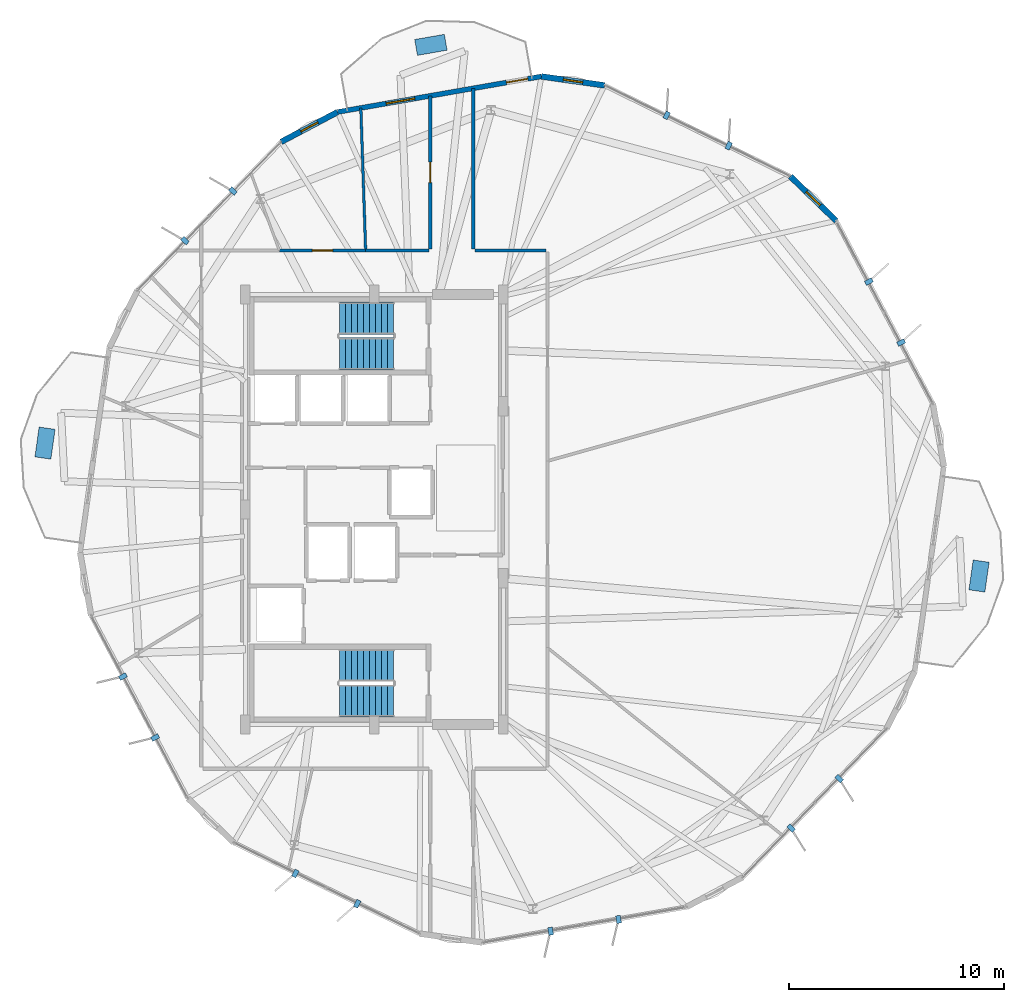
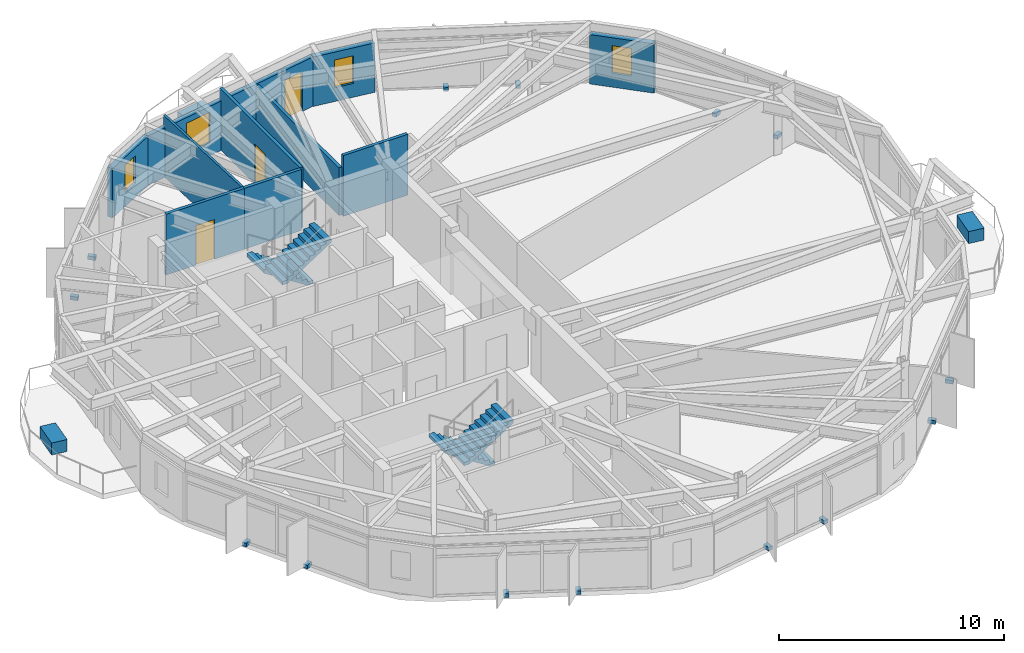
# One storey, part 25 of 28: 17 discrete accessories, 10 walls, 4 stair flights, 4 windows, 3 doors, 7 openings, 2 elements without a shape of their own.
"""IFC4 building model written with IfcOpenShell, lengths in metres."""

from ifc_helpers import new_model, si_unit, direction, frame, frame_2d, origin, origin_2d, place, context, subcontext, project, spatial, polyline, rectangle, outline, extrude, material, layer, layer_set, type_object, element, fill, aggregate, save


model = new_model("IFC4")

# Units and contexts
model_context = context("Model", 3, precision=1e-05, world=origin(), true_north=direction((0.0, 1.0)))
body_context = subcontext(model_context, "Body", "Model", "MODEL_VIEW")
ifc_project = project(units=[si_unit("LENGTHUNIT", "METRE"), si_unit("AREAUNIT", "SQUARE_METRE"), si_unit("VOLUMEUNIT", "CUBIC_METRE"), si_unit("PLANEANGLEUNIT", "RADIAN"), si_unit("MASSUNIT", "GRAM", prefix="KILO")], contexts=[model_context])

# Site, building, storey
site_placement = place(None, origin())
site = spatial("IfcSite", under=ifc_project, at=site_placement, CompositionType="ELEMENT")
building_placement = place(site_placement, origin())
building = spatial("IfcBuilding", under=site, at=building_placement, Name="Soratama Intermodal Tower", CompositionType="ELEMENT")
storey_placement = place(building_placement, frame((0.0, 0.0, 201.39990234375)))
storey = spatial("IfcBuildingStorey", under=building, at=storey_placement, Name="L50", CompositionType="ELEMENT", Elevation=201.39990234375)

# Wall, openings, door, window
ifc_material_1 = material(Name="Concrete f'c 42 MPa", Category="concrete")
ifc_layer_1 = layer(ifc_material_1, 0.22998046875)
ifc_layer_set_1 = layer_set([ifc_layer_1], Name="Concrete f'c 42 MPa")
wall_type_1 = type_object("IfcWallType", Name="EW-BAL-230", PredefinedType="SOLIDWALL", material=ifc_layer_set_1)
wall_1_placement = place(storey_placement, frame((46.368896484375, 45.145263671875, 0.0), z_axis=(0.0, 0.0, 1.0), x_axis=(-0.985106934839, -0.171942801338, 0.0)))
wall_1 = element("IfcWall", 1, at=wall_1_placement, inside=storey, type_object=wall_type_1, Name="L50 Terrace Wall F02", PredefinedType="SOLIDWALL", context=body_context, shape_type="SweptSolid", body=[
    extrude(rectangle(XDim=9.6240234375, YDim=0.22998046875, at=frame_2d((4.81201171875, 0.0))), origin(), (0.0, 0.0, 1.0), 2.67919921875),
])
opening_1_placement = place(wall_1_placement, frame((0.64990234375, 0.0, 0.0)))
opening_1 = element("IfcOpeningElement", 2, at=opening_1_placement, cuts=wall_1, Name="Opening ED-2", PredefinedType="OPENING", context=body_context, shape_type="SweptSolid", body=[
    extrude(rectangle(XDim=1.0, YDim=2.14990234375, at=frame_2d((0.5, 1.074951171875))), frame((0.0, 0.125, 0.0), z_axis=(0.0, -1.0, 0.0), x_axis=(1.0, 0.0, 0.0)), (0.0, 0.0, 1.0), 0.25),
])
opening_2_placement = place(wall_1_placement, frame((5.986083984375, 0.0, 0.719970703125)))
opening_2 = element("IfcOpeningElement", 3, at=opening_2_placement, cuts=wall_1, Name="Opening WN-4", PredefinedType="OPENING", context=body_context, shape_type="SweptSolid", body=[
    extrude(rectangle(XDim=1.35009765625, YDim=1.64990234375, at=frame_2d((0.675048828125, 0.824951171875))), frame((0.0, 0.125, 0.0), z_axis=(0.0, -1.0, 0.0), x_axis=(1.0, 0.0, 0.0)), (0.0, 0.0, 1.0), 0.25),
])
ifc_material_2 = material(Name="Double-glazed aluminium door", Category="aluminium")
door_type_1 = type_object("IfcDoorType", Name="DR-BAL-1000", OperationType="NOTDEFINED", PredefinedType="DOOR", material=ifc_material_2)
door_1_placement = place(opening_1_placement, origin())
door_1 = element("IfcDoor", 4, at=door_1_placement, inside=storey, type_object=door_type_1, Name="L50 Balcony Door F02", OperationType="SINGLE_SWING_RIGHT", OverallHeight=2.14990234375, OverallWidth=1.0, PredefinedType="DOOR", context=body_context, shape_type="SweptSolid", body=[
    extrude(rectangle(XDim=1.0, YDim=2.14990234375, at=frame_2d((0.5, 1.074951171875))), frame((0.0, 0.02490234375, 0.0), z_axis=(0.0, -1.0, 0.0), x_axis=(1.0, 0.0, 0.0)), (0.0, 0.0, 1.0), 0.050048828125),
])
fill(opening_1, door_1)
ifc_material_3 = material(Name="Double-glazed aluminium window", Category="aluminium")
window_type_1 = type_object("IfcWindowType", Name="WN-FAC-1350", PartitioningType="SINGLE_PANEL", PredefinedType="WINDOW", material=ifc_material_3)
window_1_placement = place(opening_2_placement, origin())
window_1 = element("IfcWindow", 5, at=window_1_placement, inside=storey, type_object=window_type_1, Name="L50 Window B F02", OverallHeight=1.64990234375, OverallWidth=1.35009765625, PartitioningType="SINGLE_PANEL", PredefinedType="WINDOW", context=body_context, shape_type="SweptSolid", body=[
    extrude(rectangle(XDim=1.35009765625, YDim=1.64990234375, at=frame_2d((0.675048828125, 0.824951171875))), frame((0.0, 0.030029296875, 0.0), z_axis=(0.0, -1.0, 0.0), x_axis=(1.0, 0.0, 0.0)), (0.0, 0.0, 1.0), 0.06005859375),
])
fill(opening_2, window_1)

# Wall, opening, window
ifc_material_4 = material(Name="Concrete f'c 42 MPa", Category="concrete")
ifc_layer_2 = layer(ifc_material_4, 0.27001953125)
ifc_layer_set_2 = layer_set([ifc_layer_2], Name="Concrete f'c 42 MPa")
wall_type_2 = type_object("IfcWallType", Name="EW-CRN-270", PredefinedType="SOLIDWALL", material=ifc_layer_set_2)
wall_2_placement = place(storey_placement, frame((49.305908203125, 44.727294921875, 0.0), z_axis=(0.0, 0.0, 1.0), x_axis=(-0.990025064431, 0.14089134749, 0.0)))
wall_2 = element("IfcWall", 6, at=wall_2_placement, inside=storey, type_object=wall_type_2, Name="L50 Corner Closure Wall 01", PredefinedType="SOLIDWALL", context=body_context, shape_type="SweptSolid", body=[
    extrude(rectangle(XDim=2.966552734375, YDim=0.27001953125, at=frame_2d((1.4833984375, 0.0))), origin(), (0.0, 0.0, 1.0), 2.67919921875),
])
opening_3_placement = place(wall_2_placement, frame((1.033203125, 0.0, 0.75)))
opening_3 = element("IfcOpeningElement", 7, at=opening_3_placement, cuts=wall_2, Name="Opening WN-6", PredefinedType="OPENING", context=body_context, shape_type="SweptSolid", body=[
    extrude(rectangle(XDim=0.89990234375, YDim=1.5, at=frame_2d((0.449951171875, 0.75))), frame((0.0, 0.14501953125, 0.0), z_axis=(0.0, -1.0, 0.0), x_axis=(1.0, 0.0, 0.0)), (0.0, 0.0, 1.0), 0.2900390625),
])
ifc_material_5 = material(Name="Double-glazed aluminium window", Category="aluminium")
window_type_2 = type_object("IfcWindowType", Name="WN-FAC-900", PartitioningType="SINGLE_PANEL", PredefinedType="WINDOW", material=ifc_material_5)
window_2_placement = place(opening_3_placement, origin())
window_2 = element("IfcWindow", 8, at=window_2_placement, inside=storey, type_object=window_type_2, Name="L50 Corner Window 01", OverallHeight=1.5, OverallWidth=0.89990234375, PartitioningType="SINGLE_PANEL", PredefinedType="WINDOW", context=body_context, shape_type="SweptSolid", body=[
    extrude(rectangle(XDim=0.89990234375, YDim=1.5, at=frame_2d((0.449951171875, 0.75))), frame((0.0, 0.030029296875, 0.0), z_axis=(0.0, -1.0, 0.0), x_axis=(1.0, 0.0, 0.0)), (0.0, 0.0, 1.0), 0.06005859375),
])
fill(opening_3, window_2)

wall_3_placement = place(storey_placement, frame((36.88818359375, 43.490478515625, 0.0), z_axis=(0.0, 0.0, 1.0), x_axis=(-0.883799927138, -0.467865032664, 0.0)))
wall_3 = element("IfcWall", 9, at=wall_3_placement, inside=storey, type_object=wall_type_2, Name="L50 Corner Closure Wall 02", PredefinedType="SOLIDWALL", context=body_context, shape_type="SweptSolid", body=[
    extrude(rectangle(XDim=2.966552734375, YDim=0.27001953125, at=frame_2d((1.4833984375, 0.0))), origin(), (0.0, 0.0, 1.0), 2.67919921875),
])
opening_4_placement = place(wall_3_placement, frame((1.033203125, 0.0, 0.75)))
opening_4 = element("IfcOpeningElement", 10, at=opening_4_placement, cuts=wall_3, Name="Opening WN-6", PredefinedType="OPENING", context=body_context, shape_type="SweptSolid", body=[
    extrude(rectangle(XDim=0.89990234375, YDim=1.5, at=frame_2d((0.449951171875, 0.75))), frame((0.0, 0.14501953125, 0.0), z_axis=(0.0, -1.0, 0.0), x_axis=(1.0, 0.0, 0.0)), (0.0, 0.0, 1.0), 0.2900390625),
])
window_3_placement = place(opening_4_placement, origin())
window_3 = element("IfcWindow", 11, at=window_3_placement, inside=storey, type_object=window_type_2, Name="L50 Corner Window 02", OverallHeight=1.5, OverallWidth=0.89990234375, PartitioningType="SINGLE_PANEL", PredefinedType="WINDOW", context=body_context, shape_type="SweptSolid", body=[
    extrude(rectangle(XDim=0.89990234375, YDim=1.5, at=frame_2d((0.449951171875, 0.75))), frame((0.0, 0.030029296875, 0.0), z_axis=(0.0, -1.0, 0.0), x_axis=(1.0, 0.0, 0.0)), (0.0, 0.0, 1.0), 0.06005859375),
])
fill(opening_4, window_3)

wall_4_placement = place(storey_placement, frame((60.078857421875, 38.4287109375, 0.0), z_axis=(0.0, 0.0, 1.0), x_axis=(-0.718088554482, 0.695951742523, 0.0)))
wall_4 = element("IfcWall", 12, at=wall_4_placement, inside=storey, type_object=wall_type_2, Name="L50 Corner Closure Wall 10", PredefinedType="SOLIDWALL", context=body_context, shape_type="SweptSolid", body=[
    extrude(rectangle(XDim=2.966796875, YDim=0.27001953125, at=frame_2d((1.4833984375, 0.0))), origin(), (0.0, 0.0, 1.0), 2.67919921875),
])
opening_5_placement = place(wall_4_placement, frame((1.033203125, 0.0, 0.75)))
opening_5 = element("IfcOpeningElement", 13, at=opening_5_placement, cuts=wall_4, Name="Opening WN-6", PredefinedType="OPENING", context=body_context, shape_type="SweptSolid", body=[
    extrude(rectangle(XDim=0.89990234375, YDim=1.5, at=frame_2d((0.449951171875, 0.75))), frame((0.0, 0.14501953125, 0.0), z_axis=(0.0, -1.0, 0.0), x_axis=(1.0, 0.0, 0.0)), (0.0, 0.0, 1.0), 0.2900390625),
])
window_4_placement = place(opening_5_placement, origin())
window_4 = element("IfcWindow", 14, at=window_4_placement, inside=storey, type_object=window_type_2, Name="L50 Corner Window 10", OverallHeight=1.5, OverallWidth=0.89990234375, PartitioningType="SINGLE_PANEL", PredefinedType="WINDOW", context=body_context, shape_type="SweptSolid", body=[
    extrude(rectangle(XDim=0.89990234375, YDim=1.5, at=frame_2d((0.449951171875, 0.75))), frame((0.0, 0.030029296875, 0.0), z_axis=(0.0, -1.0, 0.0), x_axis=(1.0, 0.0, 0.0)), (0.0, 0.0, 1.0), 0.06005859375),
])
fill(opening_5, window_4)

# Wall
ifc_material_6 = material(Name="Fire-rated gypsum stud partition", Category="concrete")
ifc_layer_3 = layer(ifc_material_6, 0.159912109375)
ifc_layer_set_3 = layer_set([ifc_layer_3], Name="Fire-rated gypsum stud partition")
wall_type_3 = type_object("IfcWallType", Name="IW-PART-R160", PredefinedType="PARTITIONING", material=ifc_layer_set_3)
wall_5_placement = place(storey_placement, frame((43.199951171875, 44.592041015625, 0.0), z_axis=(0.0, 0.0, 1.0), x_axis=(0.0, -1.0, 0.0)))
element("IfcWall", 15, at=wall_5_placement, inside=storey, type_object=wall_type_3, Name="L50 Partition W-L50-TP008", PredefinedType="PARTITIONING", context=body_context, shape_type="SweptSolid", body=[
    extrude(rectangle(XDim=7.471923828125, YDim=0.159912109375, at=frame_2d((3.73583984375, 0.0))), origin(), (0.0, 0.0, 1.0), 2.59521484375),
])

# Wall, opening, door
wall_6_placement = place(storey_placement, frame((41.199951171875, 37.1201171875, 0.0), z_axis=(0.0, 0.0, 1.0), x_axis=(0.0, 1.0, 0.0)))
wall_6 = element("IfcWall", 16, at=wall_6_placement, inside=storey, type_object=wall_type_3, Name="L50 Partition W-L50-TP009", PredefinedType="PARTITIONING", context=body_context, shape_type="SweptSolid", body=[
    extrude(rectangle(XDim=7.122802734375, YDim=0.159912109375, at=frame_2d((3.5615234375, 0.0))), origin(), (0.0, 0.0, 1.0), 3.300048828125),
])
opening_6_placement = place(wall_6_placement, frame((3.0869140625, 0.0, 0.0)))
opening_6 = element("IfcOpeningElement", 17, at=opening_6_placement, cuts=wall_6, Name="Opening ID-3", PredefinedType="OPENING", context=body_context, shape_type="SweptSolid", body=[
    extrude(rectangle(XDim=0.949951171875, YDim=2.14990234375, at=frame_2d((0.47509765625, 1.074951171875))), frame((0.0, 0.08984375, 0.0), z_axis=(0.0, -1.0, 0.0), x_axis=(1.0, 0.0, 0.0)), (0.0, 0.0, 1.0), 0.179931640625),
])
ifc_material_7 = material(Name="Solid hardwood acoustic door", Category="wood")
door_type_2 = type_object("IfcDoorType", Name="DR-ROOM-950", OperationType="NOTDEFINED", PredefinedType="DOOR", material=ifc_material_7)
door_2_placement = place(opening_6_placement, origin())
door_2 = element("IfcDoor", 18, at=door_2_placement, inside=storey, type_object=door_type_2, Name="L50 Door D-L50-TP006", OperationType="SINGLE_SWING_LEFT", OverallHeight=2.14990234375, OverallWidth=0.949951171875, PredefinedType="DOOR", context=body_context, shape_type="SweptSolid", body=[
    extrude(rectangle(XDim=0.949951171875, YDim=2.14990234375, at=frame_2d((0.47509765625, 1.074951171875))), frame((0.0, 0.02490234375, 0.0), z_axis=(0.0, -1.0, 0.0), x_axis=(1.0, 0.0, 0.0)), (0.0, 0.0, 1.0), 0.050048828125),
])
fill(opening_6, door_2)

wall_7_placement = place(storey_placement, frame((34.177001953125, 37.050048828125, 0.0), z_axis=(0.0, 0.0, 1.0), x_axis=(1.0, 0.0, 0.0)))
wall_7 = element("IfcWall", 19, at=wall_7_placement, inside=storey, type_object=wall_type_3, Name="L50 Partition W-L50-TP022", PredefinedType="PARTITIONING", context=body_context, shape_type="SweptSolid", body=[
    extrude(rectangle(XDim=4.01611328125, YDim=0.159912109375, at=frame_2d((2.008056640625, 0.0))), origin(), (0.0, 0.0, 1.0), 3.300048828125),
])
opening_7_placement = place(wall_7_placement, frame((1.532958984375, 0.0, 0.0)))
opening_7 = element("IfcOpeningElement", 20, at=opening_7_placement, cuts=wall_7, Name="Opening ID-3", PredefinedType="OPENING", context=body_context, shape_type="SweptSolid", body=[
    extrude(rectangle(XDim=0.949951171875, YDim=2.14990234375, at=frame_2d((0.47509765625, 1.074951171875))), frame((0.0, 0.08984375, 0.0), z_axis=(0.0, -1.0, 0.0), x_axis=(1.0, 0.0, 0.0)), (0.0, 0.0, 1.0), 0.179931640625),
])
door_3_placement = place(opening_7_placement, origin())
door_3 = element("IfcDoor", 21, at=door_3_placement, inside=storey, type_object=door_type_2, Name="L50 Door D-L50-TP011", OperationType="SINGLE_SWING_RIGHT", OverallHeight=2.14990234375, OverallWidth=0.949951171875, PredefinedType="DOOR", context=body_context, shape_type="SweptSolid", body=[
    extrude(rectangle(XDim=0.949951171875, YDim=2.14990234375, at=frame_2d((0.47509765625, 1.074951171875))), frame((0.0, 0.02490234375, 0.0), z_axis=(0.0, -1.0, 0.0), x_axis=(1.0, 0.0, 0.0)), (0.0, 0.0, 1.0), 0.050048828125),
])
fill(opening_7, door_3)

# Walls
wall_8_placement = place(storey_placement, frame((43.27001953125, 37.050048828125, 0.0), z_axis=(0.0, 0.0, 1.0), x_axis=(1.0, 0.0, 0.0)))
element("IfcWall", 22, at=wall_8_placement, inside=storey, type_object=wall_type_3, Name="L50 Partition W-L50-TP026", PredefinedType="PARTITIONING", context=body_context, shape_type="SweptSolid", body=[
    extrude(rectangle(XDim=3.31005859375, YDim=0.159912109375, at=frame_2d((1.655029296875, 0.0))), origin(), (0.0, 0.0, 1.0), 3.300048828125),
])
wall_9_placement = place(storey_placement, frame((38.193115234375, 37.050048828125, 0.0), z_axis=(0.0, 0.0, 1.0), x_axis=(1.0, 0.0, 0.0)))
element("IfcWall", 23, at=wall_9_placement, inside=storey, type_object=wall_type_3, Name="L50 Partition W-L50-TP029", PredefinedType="PARTITIONING", context=body_context, shape_type="SweptSolid", body=[
    extrude(rectangle(XDim=2.936767578125, YDim=0.159912109375, at=frame_2d((1.46826171875, 0.0))), origin(), (0.0, 0.0, 1.0), 3.300048828125),
])
ifc_material_8 = material(Name="Fire-rated gypsum stud partition", Category="concrete")
ifc_layer_4 = layer(ifc_material_8, 0.1201171875)
ifc_layer_set_4 = layer_set([ifc_layer_4], Name="Fire-rated gypsum stud partition")
wall_type_4 = type_object("IfcWallType", Name="IW-PART-S120", PredefinedType="PARTITIONING", material=ifc_layer_set_4)
wall_10_placement = place(storey_placement, frame((38.193115234375, 37.050048828125, 0.0), z_axis=(0.0, 0.0, 1.0), x_axis=(-0.033790356862, 0.999428942838, 0.0)))
element("IfcWall", 24, at=wall_10_placement, inside=storey, type_object=wall_type_4, Name="L50 Partition W-L50-TP012", PredefinedType="PARTITIONING", context=body_context, shape_type="SweptSolid", body=[
    extrude(rectangle(XDim=6.6328125, YDim=0.1201171875, at=frame_2d((3.31640625, 0.0))), origin(), (0.0, 0.0, 1.0), 3.300048828125),
])

# Stair, stair flights
ifc_material_9 = material(Name="Concrete f'c 42 MPa", Category="concrete")
stair_type = type_object("IfcStairType", Name="ST-CORE-DOGLEG", PredefinedType="HALF_TURN_STAIR", material=ifc_material_9)
stair_1_placement = place(storey_placement, origin())
stair_1 = element("IfcStair", 25, at=stair_1_placement, inside=storey, type_object=stair_type, Name="L50 ST-1", PredefinedType="HALF_TURN_STAIR")
ifc_material_10 = material(Name="Precast concrete f'c 40 MPa", Category="concrete")
ifc_layer_5 = layer(ifc_material_10, 0.199951171875)
ifc_layer_set_5 = layer_set([ifc_layer_5], Name="Precast concrete f'c 40 MPa")
stair_flight_type = type_object("IfcStairFlightType", Name="SF-FLIGHT-RC", PredefinedType="STRAIGHT", material=ifc_layer_set_5)
stair_flight_1_placement = place(storey_placement, frame((39.5, 17.75, 0.0), z_axis=(0.0, 0.0, 1.0), x_axis=(-1.0, 0.0, 0.0)))
stair_flight_1 = element("IfcStairFlight", 26, at=stair_flight_1_placement, type_object=stair_flight_type, Name="ST-1 flight 1", NumberOfRisers=10, NumberOfTreads=9, PredefinedType="STRAIGHT", RiserHeight=0.18, TreadLength=0.28, context=body_context, shape_type="SweptSolid", body=[
    extrude(outline(polyline([(0.0, 0.0), (0.0, 0.179931640625), (0.280029296875, 0.179931640625), (0.280029296875, 0.360107421875), (0.56005859375, 0.360107421875), (0.56005859375, 0.5400390625), (0.840087890625, 0.5400390625), (0.840087890625, 0.719970703125), (1.1201171875, 0.719970703125), (1.1201171875, 0.89990234375), (1.39990234375, 0.89990234375), (1.39990234375, 1.080078125), (1.679931640625, 1.080078125), (1.679931640625, 1.260009765625), (1.9599609375, 1.260009765625), (1.9599609375, 1.43994140625), (2.239990234375, 1.43994140625), (2.239990234375, 1.6201171875), (2.52001953125, 1.6201171875), (2.52001953125, 1.800048828125), (2.52001953125, 1.44189453125), (0.277099609375, 0.0), (0.0, 0.0)])), frame((0.0, 0.75, 0.0), z_axis=(0.0, -1.0, 0.0), x_axis=(1.0, 0.0, 0.0)), (0.0, 0.0, 1.0), 1.5),
])
stair_flight_2_placement = place(storey_placement, frame((36.97998046875, 16.10009765625, 1.800048828125), z_axis=(0.0, 0.0, 1.0), x_axis=(1.0, 0.0, 0.0)))
stair_flight_2 = element("IfcStairFlight", 27, at=stair_flight_2_placement, type_object=stair_flight_type, Name="ST-1 flight 2", NumberOfRisers=10, NumberOfTreads=9, PredefinedType="STRAIGHT", RiserHeight=0.18, TreadLength=0.28, context=body_context, shape_type="SweptSolid", body=[
    extrude(outline(polyline([(0.0, 0.0), (0.0, 0.179931640625), (0.280029296875, 0.179931640625), (0.280029296875, 0.360107421875), (0.56005859375, 0.360107421875), (0.56005859375, 0.5400390625), (0.840087890625, 0.5400390625), (0.840087890625, 0.719970703125), (1.1201171875, 0.719970703125), (1.1201171875, 0.89990234375), (1.39990234375, 0.89990234375), (1.39990234375, 1.080078125), (1.679931640625, 1.080078125), (1.679931640625, 1.260009765625), (1.9599609375, 1.260009765625), (1.9599609375, 1.43994140625), (2.239990234375, 1.43994140625), (2.239990234375, 1.6201171875), (2.52001953125, 1.6201171875), (2.52001953125, 1.800048828125), (2.52001953125, 1.44189453125), (0.277099609375, 0.0), (0.0, 0.0)])), frame((0.0, 0.75, 0.0), z_axis=(0.0, -1.0, 0.0), x_axis=(1.0, 0.0, 0.0)), (0.0, 0.0, 1.0), 1.5),
])
aggregate(stair_1, [stair_flight_1, stair_flight_2])

stair_2_placement = place(storey_placement, origin())
stair_2 = element("IfcStair", 28, at=stair_2_placement, inside=storey, type_object=stair_type, Name="L50 ST-2", PredefinedType="HALF_TURN_STAIR")
stair_flight_3_placement = place(storey_placement, frame((39.5, 33.89990234375, 0.0), z_axis=(0.0, 0.0, 1.0), x_axis=(-1.0, 0.0, 0.0)))
stair_flight_3 = element("IfcStairFlight", 29, at=stair_flight_3_placement, type_object=stair_flight_type, Name="ST-2 flight 1", NumberOfRisers=10, NumberOfTreads=9, PredefinedType="STRAIGHT", RiserHeight=0.18, TreadLength=0.28, context=body_context, shape_type="SweptSolid", body=[
    extrude(outline(polyline([(0.0, 0.0), (0.0, 0.179931640625), (0.280029296875, 0.179931640625), (0.280029296875, 0.360107421875), (0.56005859375, 0.360107421875), (0.56005859375, 0.5400390625), (0.840087890625, 0.5400390625), (0.840087890625, 0.719970703125), (1.1201171875, 0.719970703125), (1.1201171875, 0.89990234375), (1.39990234375, 0.89990234375), (1.39990234375, 1.080078125), (1.679931640625, 1.080078125), (1.679931640625, 1.260009765625), (1.9599609375, 1.260009765625), (1.9599609375, 1.43994140625), (2.239990234375, 1.43994140625), (2.239990234375, 1.6201171875), (2.52001953125, 1.6201171875), (2.52001953125, 1.800048828125), (2.52001953125, 1.44189453125), (0.277099609375, 0.0), (0.0, 0.0)])), frame((0.0, 0.75, 0.0), z_axis=(0.0, -1.0, 0.0), x_axis=(1.0, 0.0, 0.0)), (0.0, 0.0, 1.0), 1.5),
])
stair_flight_4_placement = place(storey_placement, frame((36.97998046875, 32.25, 1.800048828125), z_axis=(0.0, 0.0, 1.0), x_axis=(1.0, 0.0, 0.0)))
stair_flight_4 = element("IfcStairFlight", 30, at=stair_flight_4_placement, type_object=stair_flight_type, Name="ST-2 flight 2", NumberOfRisers=10, NumberOfTreads=9, PredefinedType="STRAIGHT", RiserHeight=0.18, TreadLength=0.28, context=body_context, shape_type="SweptSolid", body=[
    extrude(outline(polyline([(0.0, 0.0), (0.0, 0.179931640625), (0.280029296875, 0.179931640625), (0.280029296875, 0.360107421875), (0.56005859375, 0.360107421875), (0.56005859375, 0.5400390625), (0.840087890625, 0.5400390625), (0.840087890625, 0.719970703125), (1.1201171875, 0.719970703125), (1.1201171875, 0.89990234375), (1.39990234375, 0.89990234375), (1.39990234375, 1.080078125), (1.679931640625, 1.080078125), (1.679931640625, 1.260009765625), (1.9599609375, 1.260009765625), (1.9599609375, 1.43994140625), (2.239990234375, 1.43994140625), (2.239990234375, 1.6201171875), (2.52001953125, 1.6201171875), (2.52001953125, 1.800048828125), (2.52001953125, 1.44189453125), (0.277099609375, 0.0), (0.0, 0.0)])), frame((0.0, 0.75, 0.0), z_axis=(0.0, -1.0, 0.0), x_axis=(1.0, 0.0, 0.0)), (0.0, 0.0, 1.0), 1.5),
])
aggregate(stair_2, [stair_flight_3, stair_flight_4])

# Discrete accessories
ifc_material_11 = material(Name="Structural steel ASTM A992 Grade 50", Category="steel")
discrete_accessory_type_1 = type_object("IfcDiscreteAccessoryType", Name="AC-FIN-BRACKET", PredefinedType="BRACKET", material=ifc_material_11)
for number, where, z_axis, x_axis, name in (
    (31, (55.076416015625, 41.922607421875, -0.080078125), (0.0, 0.0, 1.0), (0.439939169856, 0.898027575761, 0.0), "L50 Fin Bracket F01-1"),
    (32, (52.195556640625, 43.333984375, -0.080078125), (0.0, 0.0, 1.0), (0.439939169856, 0.898027575761, 0.0), "L50 Fin Bracket F01-2"),
    (33, (32.01953125, 39.8125, -0.080078125), (0.0, 0.0, 1.0), (-0.718126297763, 0.695912796592, 0.0), "L50 Fin Bracket F03-1"),
    (34, (29.787109375, 37.5087890625, -0.080078125), (0.0, 0.0, 1.0), (-0.718126297763, 0.695912796592, 0.0), "L50 Fin Bracket F03-2"),
    (35, (26.901123046875, 17.232177734375, -0.080078125), (0.0, 0.0, 1.0), (-0.883765630089, -0.467929814261, 0.0), "L50 Fin Bracket F05-1"),
    (36, (28.40234375, 14.39697265625, -0.080078125), (0.0, 0.0, 1.0), (-0.883765630089, -0.467929814261, 0.0), "L50 Fin Bracket F05-2"),
    (37, (34.923583984375, 8.077392578125, -0.080078125), (0.0, 0.0, 1.0), (-0.439939169856, -0.898027575761, 0.0), "L50 Fin Bracket F06-1"),
    (38, (37.804443359375, 6.666015625, -0.080078125), (0.0, 0.0, 1.0), (-0.439939169856, -0.898027575761, 0.0), "L50 Fin Bracket F06-2"),
    (39, (46.794921875, 5.38671875, -0.080078125), (0.0, 0.0, 1.0), (0.171929100279, -0.985109326155, 0.0), "L50 Fin Bracket F07-1"),
    (40, (49.955078125, 5.93798828125, -0.080078125), (0.0, 0.0, 1.0), (0.171929100279, -0.985109326155, 0.0), "L50 Fin Bracket F07-2"),
    (41, (57.98046875, 10.1875, -0.080078125), (0.0, 0.0, 1.0), (0.718126297763, -0.695912796592, 0.0), "L50 Fin Bracket F08-1"),
    (42, (60.212890625, 12.4912109375, -0.080078125), (0.0, 0.0, 1.0), (0.718126297763, -0.695912796592, 0.0), "L50 Fin Bracket F08-2"),
    (43, (63.098876953125, 32.767822265625, -0.080078125), (0.0, 0.0, 1.0), (0.883765630089, 0.467929814261, 0.0), "L50 Fin Bracket F10-1"),
    (44, (61.59765625, 35.60302734375, -0.080078125), (0.0, 0.0, 1.0), (0.883765630089, 0.467929814261, 0.0), "L50 Fin Bracket F10-2"),
):
    element("IfcDiscreteAccessory", number, at=place(storey_placement, frame(where, z_axis=z_axis, x_axis=x_axis)), inside=storey, type_object=discrete_accessory_type_1, Name=name, PredefinedType="BRACKET", context=body_context, shape_type="SweptSolid", body=[
        extrude(rectangle(XDim=0.360107421875, YDim=0.219970703125, at=origin_2d()), origin(), (0.0, 0.0, 1.0), 0.199951171875),
    ])
ifc_material_12 = material(Name="Precast concrete f'c 40 MPa", Category="concrete")
discrete_accessory_type_2 = type_object("IfcDiscreteAccessoryType", Name="AC-PLANTER-TREE", PredefinedType="USERDEFINED", material=ifc_material_12)
for number, where, z_axis, x_axis, name in (
    (45, (66.72119140625, 21.90869140625, 0.000244140625), (0.0, 0.0, 1.0), (0.990023657717, -0.140901231938, 0.0), "L50 Tree Planter 1"),
    (46, (41.227783203125, 46.61328125, 0.000244140625), (0.0, 0.0, 1.0), (-0.171929100279, 0.985109326155, 0.0), "L50 Tree Planter 2"),
    (47, (23.27880859375, 28.09130859375, 0.000244140625), (0.0, 0.0, 1.0), (-0.990023657717, 0.140901231938, 0.0), "L50 Tree Planter 3"),
):
    element("IfcDiscreteAccessory", number, at=place(storey_placement, frame(where, z_axis=z_axis, x_axis=x_axis)), inside=storey, type_object=discrete_accessory_type_2, Name=name, ObjectType="PLANTER", PredefinedType="USERDEFINED", context=body_context, shape_type="SweptSolid", body=[
        extrude(rectangle(XDim=0.75, YDim=1.39990234375, at=origin_2d()), origin(), (0.0, 0.0, 1.0), 0.64990234375),
    ])

save(model, "model.ifc")
